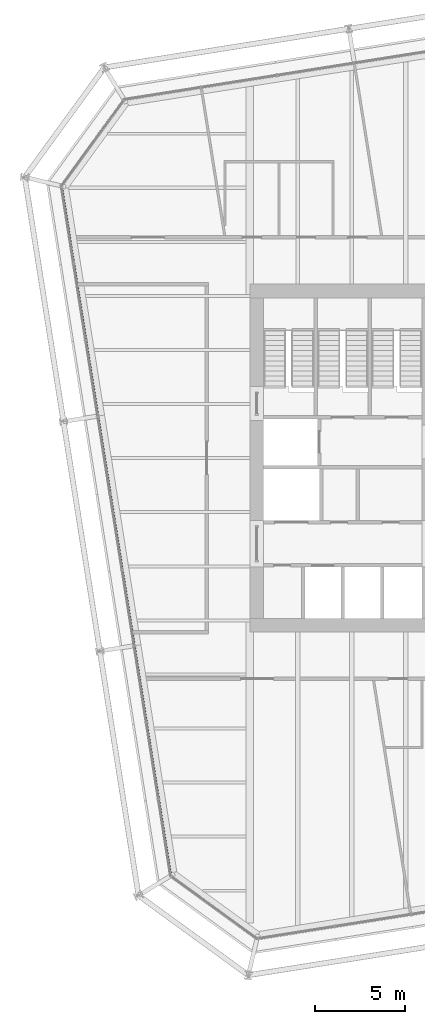
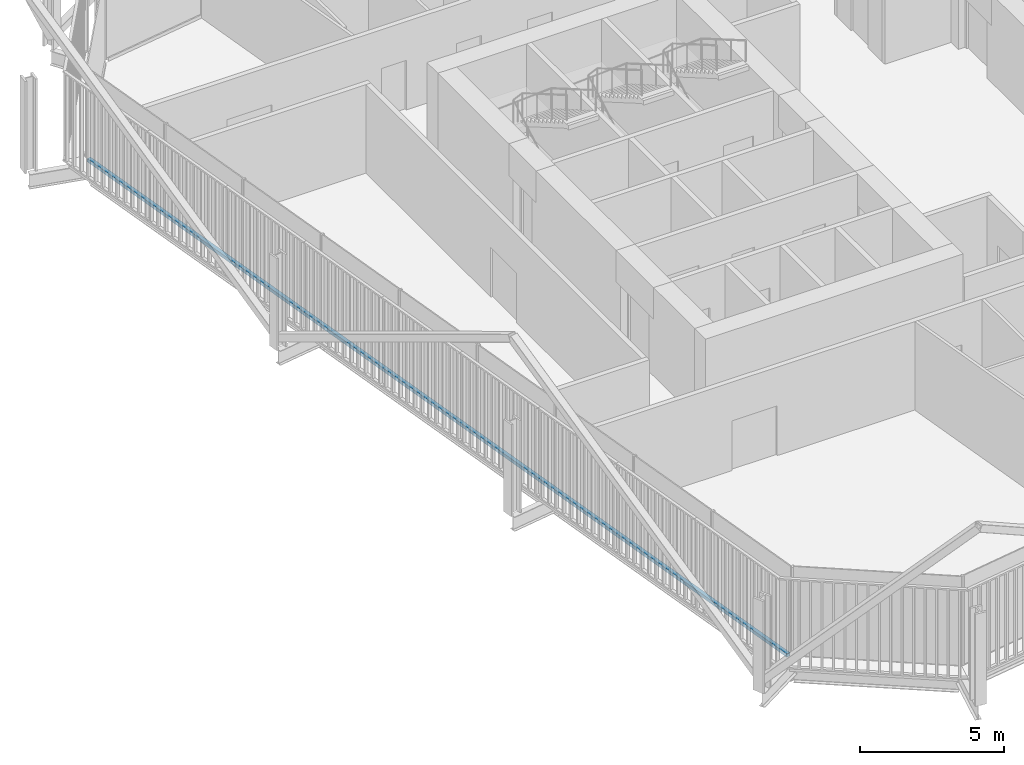
# One storey, part 5 of 22: 1 member, 1 element without a shape of its own.
"""IFC4 building model written with IfcOpenShell, lengths in metres."""

from ifc_helpers import new_model, si_unit, direction, frame, origin, origin_2d, place, context, subcontext, project, spatial, rectangle, extrude, material, layer, layer_set, material_profile, profile_set, type_object, element, aggregate, save


model = new_model("IFC4")

# Units and contexts
model_context = context("Model", 3, precision=1e-05, world=origin(), true_north=direction((0.0, 1.0)))
body_context = subcontext(model_context, "Body", "Model", "MODEL_VIEW")
ifc_project = project(units=[si_unit("LENGTHUNIT", "METRE"), si_unit("AREAUNIT", "SQUARE_METRE"), si_unit("VOLUMEUNIT", "CUBIC_METRE"), si_unit("PLANEANGLEUNIT", "RADIAN"), si_unit("MASSUNIT", "GRAM", prefix="KILO")], contexts=[model_context])

# Site, building, storey
site_placement = place(None, origin())
site = spatial("IfcSite", under=ifc_project, at=site_placement, CompositionType="ELEMENT")
building_placement = place(site_placement, origin())
building = spatial("IfcBuilding", under=site, at=building_placement, Name="Millrace Tower", CompositionType="ELEMENT")
storey_placement = place(building_placement, frame((0.0, 0.0, 180.0)))
storey = spatial("IfcBuildingStorey", under=building, at=storey_placement, Name="L40", CompositionType="ELEMENT", Elevation=180.0)

# Curtain wall, member
ifc_material_1 = material(Name="Aluminium and glass", Category="aluminium")
ifc_layer = layer(ifc_material_1, 0.14990234375)
ifc_layer_set = layer_set([ifc_layer], Name="Aluminium and glass")
curtain_wall_type = type_object("IfcCurtainWallType", Name="CW-1 office vision curtain wall", PredefinedType="NOTDEFINED", material=ifc_layer_set)
curtain_wall_placement = place(storey_placement, origin())
curtain_wall = element("IfcCurtainWall", 1, at=curtain_wall_placement, inside=storey, type_object=curtain_wall_type, Name="Curtain wall C-F08 L40", PredefinedType="NOTDEFINED")
ifc_material_2 = material(Name="Aluminium", Category="aluminium")
ifc_material_profile = material_profile(ifc_material_2, rectangle(XDim=0.14990234375, YDim=0.139892578125, at=origin_2d()))
ifc_profile_set = profile_set([ifc_material_profile], Name="Aluminium")
member_type = type_object("IfcMemberType", Name="CW-1 office vision curtain wall transom", PredefinedType="USERDEFINED", material=ifc_profile_set)
member_placement = place(storey_placement, frame((-25.09619140625, 14.97509765625, 0.070068359375), z_axis=(0.156433422663, -0.987688505691, 0.0), x_axis=(0.987688505691, 0.156433422663, 0.0)))
member = element("IfcMember", 2, at=member_placement, type_object=member_type, Name="CW1 transom C-F08.1", ObjectType="TRANSOM", PredefinedType="USERDEFINED", context=body_context, shape_type="SweptSolid", body=[
    extrude(rectangle(XDim=0.14990234375, YDim=0.139892578125, at=origin_2d()), origin(), (0.0, 0.0, 1.0), 38.5),
])
aggregate(curtain_wall, [member])

save(model, "model.ifc")
